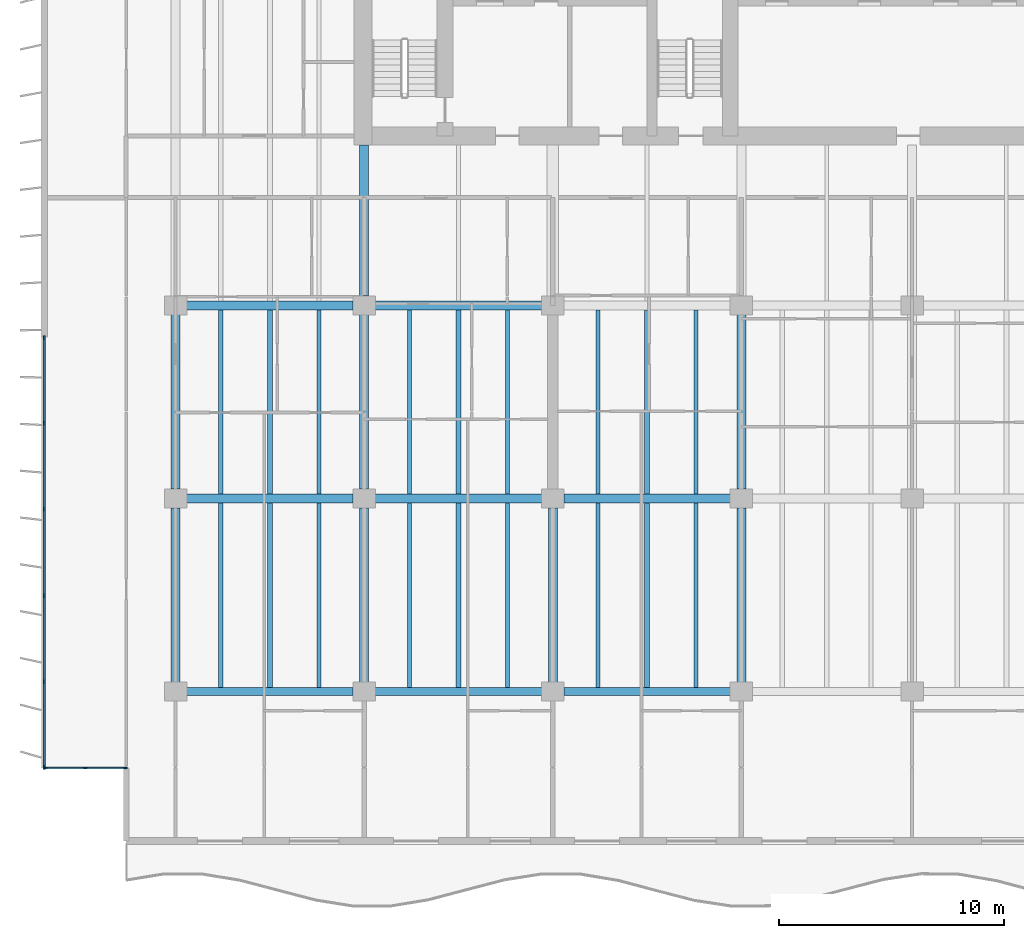
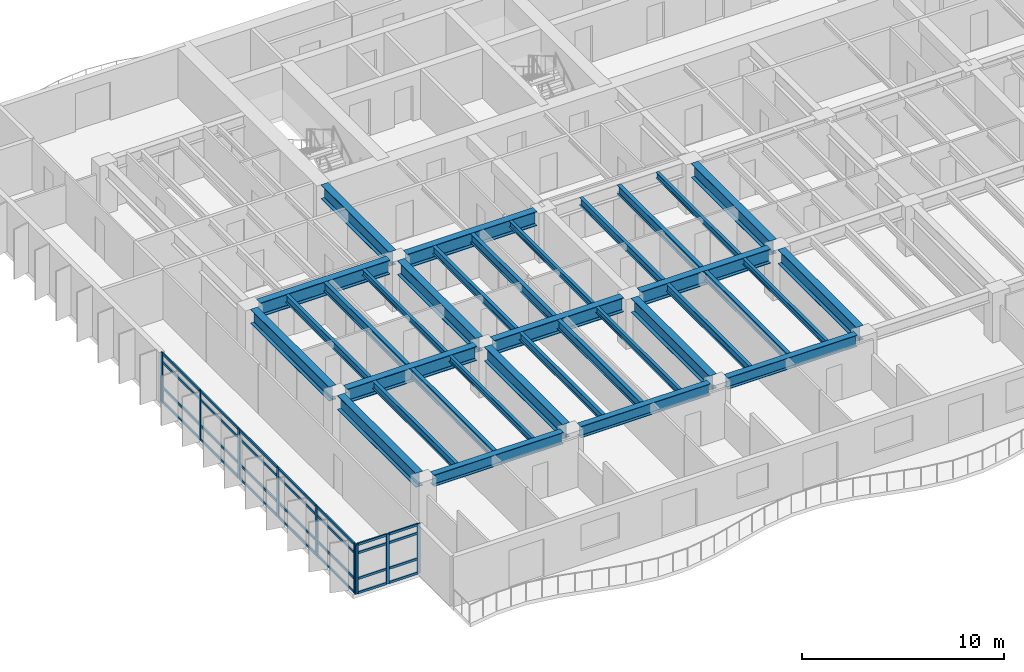
# One storey, part 2 of 16: 37 members, 34 beams, 2 elements without a shape of their own.
"""IFC4 building model written with IfcOpenShell, lengths in metres."""

from ifc_helpers import new_model, si_unit, direction, frame, origin, origin_2d, place, context, subcontext, project, spatial, rectangle, i_section, extrude, material, layer, layer_set, material_profile, profile_set, type_object, element, aggregate, save


model = new_model("IFC4")

# Units and contexts
model_context = context("Model", 3, precision=1e-05, world=origin(), true_north=direction((0.0, 1.0)))
body_context = subcontext(model_context, "Body", "Model", "MODEL_VIEW")
ifc_project = project(units=[si_unit("LENGTHUNIT", "METRE"), si_unit("AREAUNIT", "SQUARE_METRE"), si_unit("VOLUMEUNIT", "CUBIC_METRE"), si_unit("PLANEANGLEUNIT", "RADIAN"), si_unit("MASSUNIT", "GRAM", prefix="KILO")], contexts=[model_context])

# Site, building, storey
site_placement = place(None, origin())
site = spatial("IfcSite", under=ifc_project, at=site_placement, CompositionType="ELEMENT")
building_placement = place(site_placement, origin())
building = spatial("IfcBuilding", under=site, at=building_placement, Name="Caelmar Bay Residences", CompositionType="ELEMENT")
storey_placement = place(building_placement, frame((0.0, 0.0, 148.800048828125)))
storey = spatial("IfcBuildingStorey", under=building, at=storey_placement, Name="L41", CompositionType="ELEMENT", Elevation=148.800048828125)

# Beams
ifc_material_1 = material(Name="Steel ASTM A992 Grade 50", Category="steel")
ifc_material_profile_1 = material_profile(ifc_material_1, i_section(OverallWidth=0.40087890625, OverallDepth=0.861083984375, WebThickness=0.019775390625, FlangeThickness=0.032470703125, FilletRadius=0.017822265625, at=origin_2d()), Name="W33X221")
ifc_profile_set_1 = profile_set([ifc_material_profile_1], Name="Steel ASTM A992 Grade 50")
beam_type_1 = type_object("IfcBeamType", Name="BM-GRD-W33X221", PredefinedType="BEAM", material=ifc_profile_set_1)
beam_1_placement = place(storey_placement, frame((10.389892578125, 20.800048828125, 2.5693359375), z_axis=(1.0, 0.0, 0.0), x_axis=(0.0, 1.0, 0.0)))
element("IfcBeam", 1, at=beam_1_placement, inside=storey, type_object=beam_type_1, Name="L41 East-West Girder Y=20.80 (9.9-18.3)", PredefinedType="BEAM", context=body_context, shape_type="SweptSolid", body=[
    extrude(i_section(OverallWidth=0.40087890625, OverallDepth=0.861083984375, WebThickness=0.019775390625, FlangeThickness=0.032470703125, FilletRadius=0.017822265625, at=origin_2d()), origin(), (0.0, 0.0, 1.0), 7.420166015625),
])
beam_2_placement = place(storey_placement, frame((18.7900390625, 20.800048828125, 2.5693359375), z_axis=(1.0, 0.0, 0.0), x_axis=(0.0, 1.0, 0.0)))
element("IfcBeam", 2, at=beam_2_placement, inside=storey, type_object=beam_type_1, Name="L41 East-West Girder Y=20.80 (18.3-26.7)", PredefinedType="BEAM", context=body_context, shape_type="SweptSolid", body=[
    extrude(i_section(OverallWidth=0.40087890625, OverallDepth=0.861083984375, WebThickness=0.019775390625, FlangeThickness=0.032470703125, FilletRadius=0.017822265625, at=origin_2d()), origin(), (0.0, 0.0, 1.0), 7.419921875),
])
for number, where, z_axis, x_axis, name in (
    (3, (27.18994140625, 20.800048828125, 2.5693359375), (1.0, 0.0, 0.0), (0.0, 1.0, 0.0), "L41 East-West Girder Y=20.80 (26.7-35.1)"),
    (4, (10.389892578125, 29.39990234375, 2.5693359375), (1.0, 0.0, 0.0), (0.0, 1.0, 0.0), "L41 East-West Girder Y=29.40 (9.9-18.3)"),
):
    element("IfcBeam", number, at=place(storey_placement, frame(where, z_axis=z_axis, x_axis=x_axis)), inside=storey, type_object=beam_type_1, Name=name, PredefinedType="BEAM", context=body_context, shape_type="SweptSolid", body=[
        extrude(i_section(OverallWidth=0.40087890625, OverallDepth=0.861083984375, WebThickness=0.019775390625, FlangeThickness=0.032470703125, FilletRadius=0.017822265625, at=origin_2d()), origin(), (0.0, 0.0, 1.0), 7.420166015625),
    ])
beam_3_placement = place(storey_placement, frame((18.7900390625, 29.39990234375, 2.5693359375), z_axis=(1.0, 0.0, 0.0), x_axis=(0.0, 1.0, 0.0)))
element("IfcBeam", 5, at=beam_3_placement, inside=storey, type_object=beam_type_1, Name="L41 East-West Girder Y=29.40 (18.3-26.7)", PredefinedType="BEAM", context=body_context, shape_type="SweptSolid", body=[
    extrude(i_section(OverallWidth=0.40087890625, OverallDepth=0.861083984375, WebThickness=0.019775390625, FlangeThickness=0.032470703125, FilletRadius=0.017822265625, at=origin_2d()), origin(), (0.0, 0.0, 1.0), 7.419921875),
])
for number, where, z_axis, x_axis, name in (
    (6, (9.89990234375, 12.614990234375, 2.5693359375), (0.0, 1.0, 0.0), (-1.0, 0.0, 0.0), "L41 North-South Girder X=9.90 (12.2-20.8)"),
    (7, (9.89990234375, 21.215087890625, 2.5693359375), (0.0, 1.0, 0.0), (-1.0, 0.0, 0.0), "L41 North-South Girder X=9.90 (20.8-29.4)"),
):
    element("IfcBeam", number, at=place(storey_placement, frame(where, z_axis=z_axis, x_axis=x_axis)), inside=storey, type_object=beam_type_1, Name=name, PredefinedType="BEAM", context=body_context, shape_type="SweptSolid", body=[
        extrude(i_section(OverallWidth=0.40087890625, OverallDepth=0.861083984375, WebThickness=0.019775390625, FlangeThickness=0.032470703125, FilletRadius=0.017822265625, at=origin_2d()), origin(), (0.0, 0.0, 1.0), 7.77001953125),
    ])
beam_4_placement = place(storey_placement, frame((18.300048828125, 29.81494140625, 2.5693359375), z_axis=(0.0, 1.0, 0.0), x_axis=(-1.0, 0.0, 0.0)))
element("IfcBeam", 8, at=beam_4_placement, inside=storey, type_object=beam_type_1, Name="L41 Core Tie Girder X=18.30", PredefinedType="BEAM", context=body_context, shape_type="SweptSolid", body=[
    extrude(i_section(OverallWidth=0.40087890625, OverallDepth=0.861083984375, WebThickness=0.019775390625, FlangeThickness=0.032470703125, FilletRadius=0.017822265625, at=origin_2d()), origin(), (0.0, 0.0, 1.0), 6.735107421875),
])
for number, where, z_axis, x_axis, name in (
    (9, (18.300048828125, 12.614990234375, 2.5693359375), (0.0, 1.0, 0.0), (-1.0, 0.0, 0.0), "L41 North-South Girder X=18.30 (12.2-20.8)"),
    (10, (18.300048828125, 21.215087890625, 2.5693359375), (0.0, 1.0, 0.0), (-1.0, 0.0, 0.0), "L41 North-South Girder X=18.30 (20.8-29.4)"),
    (11, (26.699951171875, 12.614990234375, 2.5693359375), (0.0, 1.0, 0.0), (-1.0, 0.0, 0.0), "L41 North-South Girder X=26.70 (12.2-20.8)"),
    (12, (35.10009765625, 12.614990234375, 2.5693359375), (0.0, 1.0, 0.0), (-1.0, 0.0, 0.0), "L41 North-South Girder X=35.10 (12.2-20.8)"),
    (13, (35.10009765625, 21.215087890625, 2.5693359375), (0.0, 1.0, 0.0), (-1.0, 0.0, 0.0), "L41 North-South Girder X=35.10 (20.8-29.4)"),
):
    element("IfcBeam", number, at=place(storey_placement, frame(where, z_axis=z_axis, x_axis=x_axis)), inside=storey, type_object=beam_type_1, Name=name, PredefinedType="BEAM", context=body_context, shape_type="SweptSolid", body=[
        extrude(i_section(OverallWidth=0.40087890625, OverallDepth=0.861083984375, WebThickness=0.019775390625, FlangeThickness=0.032470703125, FilletRadius=0.017822265625, at=origin_2d()), origin(), (0.0, 0.0, 1.0), 7.77001953125),
    ])
ifc_material_profile_2 = material_profile(ifc_material_1, i_section(OverallWidth=0.1708984375, OverallDepth=0.35595703125, WebThickness=0.007080078125, FlangeThickness=0.01171875, FilletRadius=0.007568359375, at=origin_2d()), Name="W14X34")
ifc_profile_set_2 = profile_set([ifc_material_profile_2], Name="Steel ASTM A992 Grade 50")
beam_type_2 = type_object("IfcBeamType", Name="BM-JST-W14X34", PredefinedType="JOIST", material=ifc_profile_set_2)
for number, where, z_axis, x_axis, name in (
    (14, (16.283935546875, 12.3779296875, 2.822021484375), (0.0, 1.0, 0.0), (-1.0, 0.0, 0.0), "L41 Composite Floor Joist 3"),
    (15, (24.68408203125, 12.3779296875, 2.822021484375), (0.0, 1.0, 0.0), (-1.0, 0.0, 0.0), "L41 Composite Floor Joist 6"),
    (16, (33.083984375, 12.3779296875, 2.822021484375), (0.0, 1.0, 0.0), (-1.0, 0.0, 0.0), "L41 Composite Floor Joist 9"),
):
    element("IfcBeam", number, at=place(storey_placement, frame(where, z_axis=z_axis, x_axis=x_axis)), inside=storey, type_object=beam_type_2, Name=name, PredefinedType="JOIST", context=body_context, shape_type="SweptSolid", body=[
        extrude(i_section(OverallWidth=0.1708984375, OverallDepth=0.35595703125, WebThickness=0.007080078125, FlangeThickness=0.01171875, FilletRadius=0.007568359375, at=origin_2d()), origin(), (0.0, 0.0, 1.0), 8.2216796875),
    ])
for number, where, z_axis, x_axis, name in (
    (17, (16.283935546875, 21.00048828125, 2.822021484375), (0.0, 1.0, 0.0), (-1.0, 0.0, 0.0), "L41 Composite Floor Joist 24"),
    (18, (24.68408203125, 21.00048828125, 2.822021484375), (0.0, 1.0, 0.0), (-1.0, 0.0, 0.0), "L41 Composite Floor Joist 27"),
    (19, (33.083984375, 21.00048828125, 2.822021484375), (0.0, 1.0, 0.0), (-1.0, 0.0, 0.0), "L41 Composite Floor Joist 30"),
):
    element("IfcBeam", number, at=place(storey_placement, frame(where, z_axis=z_axis, x_axis=x_axis)), inside=storey, type_object=beam_type_2, Name=name, PredefinedType="JOIST", context=body_context, shape_type="SweptSolid", body=[
        extrude(i_section(OverallWidth=0.1708984375, OverallDepth=0.35595703125, WebThickness=0.007080078125, FlangeThickness=0.01171875, FilletRadius=0.007568359375, at=origin_2d()), origin(), (0.0, 0.0, 1.0), 8.198974609375),
    ])
ifc_material_profile_3 = material_profile(ifc_material_1, i_section(OverallWidth=0.19091796875, OverallDepth=0.45703125, WebThickness=0.009033203125, FlangeThickness=0.014404296875, FilletRadius=0.01025390625, at=origin_2d()), Name="W18X50")
ifc_profile_set_3 = profile_set([ifc_material_profile_3], Name="Steel ASTM A992 Grade 50")
beam_type_3 = type_object("IfcBeamType", Name="BM-JST-W18X50", PredefinedType="JOIST", material=ifc_profile_set_3)
for number, where, z_axis, x_axis, name in (
    (20, (11.916015625, 12.3779296875, 2.771484375), (0.0, 1.0, 0.0), (-1.0, 0.0, 0.0), "L41 Composite Floor Joist 1"),
    (21, (20.31591796875, 12.3779296875, 2.771484375), (0.0, 1.0, 0.0), (-1.0, 0.0, 0.0), "L41 Composite Floor Joist 4"),
    (22, (28.716064453125, 12.3779296875, 2.771484375), (0.0, 1.0, 0.0), (-1.0, 0.0, 0.0), "L41 Composite Floor Joist 7"),
):
    element("IfcBeam", number, at=place(storey_placement, frame(where, z_axis=z_axis, x_axis=x_axis)), inside=storey, type_object=beam_type_3, Name=name, PredefinedType="JOIST", context=body_context, shape_type="SweptSolid", body=[
        extrude(i_section(OverallWidth=0.19091796875, OverallDepth=0.45703125, WebThickness=0.009033203125, FlangeThickness=0.014404296875, FilletRadius=0.01025390625, at=origin_2d()), origin(), (0.0, 0.0, 1.0), 8.2216796875),
    ])
for number, where, z_axis, x_axis, name in (
    (23, (11.916015625, 21.00048828125, 2.771484375), (0.0, 1.0, 0.0), (-1.0, 0.0, 0.0), "L41 Composite Floor Joist 22"),
    (24, (20.31591796875, 21.00048828125, 2.771484375), (0.0, 1.0, 0.0), (-1.0, 0.0, 0.0), "L41 Composite Floor Joist 25"),
    (25, (28.716064453125, 21.00048828125, 2.771484375), (0.0, 1.0, 0.0), (-1.0, 0.0, 0.0), "L41 Composite Floor Joist 28"),
):
    element("IfcBeam", number, at=place(storey_placement, frame(where, z_axis=z_axis, x_axis=x_axis)), inside=storey, type_object=beam_type_3, Name=name, PredefinedType="JOIST", context=body_context, shape_type="SweptSolid", body=[
        extrude(i_section(OverallWidth=0.19091796875, OverallDepth=0.45703125, WebThickness=0.009033203125, FlangeThickness=0.014404296875, FilletRadius=0.01025390625, at=origin_2d()), origin(), (0.0, 0.0, 1.0), 8.198974609375),
    ])
ifc_material_profile_4 = material_profile(ifc_material_1, i_section(OverallWidth=0.214111328125, OverallDepth=0.549072265625, WebThickness=0.0146484375, FlangeThickness=0.023681640625, FilletRadius=0.0126953125, at=origin_2d()), Name="W21X93")
ifc_profile_set_4 = profile_set([ifc_material_profile_4], Name="Steel ASTM A992 Grade 50")
beam_type_4 = type_object("IfcBeamType", Name="BM-JST-W21X93", PredefinedType="JOIST", material=ifc_profile_set_4)
for number, where, z_axis, x_axis, name in (
    (26, (14.10009765625, 12.3779296875, 2.725341796875), (0.0, 1.0, 0.0), (-1.0, 0.0, 0.0), "L41 Composite Floor Joist 2"),
    (27, (22.5, 12.3779296875, 2.725341796875), (0.0, 1.0, 0.0), (-1.0, 0.0, 0.0), "L41 Composite Floor Joist 5"),
    (28, (30.89990234375, 12.3779296875, 2.725341796875), (0.0, 1.0, 0.0), (-1.0, 0.0, 0.0), "L41 Composite Floor Joist 8"),
):
    element("IfcBeam", number, at=place(storey_placement, frame(where, z_axis=z_axis, x_axis=x_axis)), inside=storey, type_object=beam_type_4, Name=name, PredefinedType="JOIST", context=body_context, shape_type="SweptSolid", body=[
        extrude(i_section(OverallWidth=0.214111328125, OverallDepth=0.549072265625, WebThickness=0.0146484375, FlangeThickness=0.023681640625, FilletRadius=0.0126953125, at=origin_2d()), origin(), (0.0, 0.0, 1.0), 8.2216796875),
    ])
for number, where, z_axis, x_axis, name in (
    (29, (14.10009765625, 21.00048828125, 2.725341796875), (0.0, 1.0, 0.0), (-1.0, 0.0, 0.0), "L41 Composite Floor Joist 23"),
    (30, (22.5, 21.00048828125, 2.725341796875), (0.0, 1.0, 0.0), (-1.0, 0.0, 0.0), "L41 Composite Floor Joist 26"),
    (31, (30.89990234375, 21.00048828125, 2.725341796875), (0.0, 1.0, 0.0), (-1.0, 0.0, 0.0), "L41 Composite Floor Joist 29"),
):
    element("IfcBeam", number, at=place(storey_placement, frame(where, z_axis=z_axis, x_axis=x_axis)), inside=storey, type_object=beam_type_4, Name=name, PredefinedType="JOIST", context=body_context, shape_type="SweptSolid", body=[
        extrude(i_section(OverallWidth=0.214111328125, OverallDepth=0.549072265625, WebThickness=0.0146484375, FlangeThickness=0.023681640625, FilletRadius=0.0126953125, at=origin_2d()), origin(), (0.0, 0.0, 1.0), 8.198974609375),
    ])
ifc_material_profile_5 = material_profile(ifc_material_1, i_section(OverallWidth=0.35595703125, OverallDepth=0.696044921875, WebThickness=0.015380859375, FlangeThickness=0.02490234375, FilletRadius=0.01513671875, at=origin_2d()), Name="W27X146")
ifc_profile_set_5 = profile_set([ifc_material_profile_5], Name="Steel ASTM A992 Grade 50")
beam_type_5 = type_object("IfcBeamType", Name="BM-SPN-W27X146", PredefinedType="SPANDREL", material=ifc_profile_set_5)
beam_5_placement = place(storey_placement, frame((10.389892578125, 12.199951171875, 2.65185546875), z_axis=(1.0, 0.0, 0.0), x_axis=(0.0, 1.0, 0.0)))
element("IfcBeam", 32, at=beam_5_placement, inside=storey, type_object=beam_type_5, Name="L41 East-West Girder Y=12.20 (9.9-18.3)", PredefinedType="SPANDREL", context=body_context, shape_type="SweptSolid", body=[
    extrude(i_section(OverallWidth=0.35595703125, OverallDepth=0.696044921875, WebThickness=0.015380859375, FlangeThickness=0.02490234375, FilletRadius=0.01513671875, at=origin_2d()), origin(), (0.0, 0.0, 1.0), 7.420166015625),
])
beam_6_placement = place(storey_placement, frame((18.7900390625, 12.199951171875, 2.65185546875), z_axis=(1.0, 0.0, 0.0), x_axis=(0.0, 1.0, 0.0)))
element("IfcBeam", 33, at=beam_6_placement, inside=storey, type_object=beam_type_5, Name="L41 East-West Girder Y=12.20 (18.3-26.7)", PredefinedType="SPANDREL", context=body_context, shape_type="SweptSolid", body=[
    extrude(i_section(OverallWidth=0.35595703125, OverallDepth=0.696044921875, WebThickness=0.015380859375, FlangeThickness=0.02490234375, FilletRadius=0.01513671875, at=origin_2d()), origin(), (0.0, 0.0, 1.0), 7.419921875),
])
beam_7_placement = place(storey_placement, frame((27.18994140625, 12.199951171875, 2.65185546875), z_axis=(1.0, 0.0, 0.0), x_axis=(0.0, 1.0, 0.0)))
element("IfcBeam", 34, at=beam_7_placement, inside=storey, type_object=beam_type_5, Name="L41 East-West Girder Y=12.20 (26.7-35.1)", PredefinedType="SPANDREL", context=body_context, shape_type="SweptSolid", body=[
    extrude(i_section(OverallWidth=0.35595703125, OverallDepth=0.696044921875, WebThickness=0.015380859375, FlangeThickness=0.02490234375, FilletRadius=0.01513671875, at=origin_2d()), origin(), (0.0, 0.0, 1.0), 7.420166015625),
])

# Curtain wall, members
ifc_material_2 = material(Name="Anodised bronze aluminium 6063-T6 and laminated glass", Category="aluminium")
ifc_layer_1 = layer(ifc_material_2, 0.179931640625)
ifc_layer_set_1 = layer_set([ifc_layer_1], Name="Anodised bronze aluminium 6063-T6 and laminated glass")
curtain_wall_type_1 = type_object("IfcCurtainWallType", Name="CW6-NTC", PredefinedType="NOTDEFINED", material=ifc_layer_set_1)
curtain_wall_1_placement = place(storey_placement, origin())
curtain_wall_1 = element("IfcCurtainWall", 35, at=curtain_wall_1_placement, inside=storey, type_object=curtain_wall_type_1, Name="CW6 curtain wall L41", PredefinedType="NOTDEFINED")
ifc_material_3 = material(Name="Anodised bronze aluminium 6063-T6", Category="aluminium")
ifc_material_profile_6 = material_profile(ifc_material_3, rectangle(XDim=0.080078125, YDim=0.179931640625, at=origin_2d()), Name="CWM-80X180")
ifc_profile_set_6 = profile_set([ifc_material_profile_6], Name="Anodised bronze aluminium 6063-T6")
member_type_1 = type_object("IfcMemberType", Name="CWM-180", PredefinedType="MULLION", material=ifc_profile_set_6)
member_1_placement = place(storey_placement, frame((4.090087890625, 8.800048828125, 0.0), z_axis=(0.0, 0.0, 1.0), x_axis=(0.0, 1.0, 0.0)))
member_1 = element("IfcMember", 36, at=member_1_placement, type_object=member_type_1, Name="CW6 mullion 1", PredefinedType="MULLION", context=body_context, shape_type="SweptSolid", body=[
    extrude(rectangle(XDim=0.080078125, YDim=0.179931640625, at=origin_2d()), origin(), (0.0, 0.0, 1.0), 3.0),
])
member_2_placement = place(storey_placement, frame((5.875, 8.800048828125, 0.0), z_axis=(0.0, 0.0, 1.0), x_axis=(0.0, 1.0, 0.0)))
member_2 = element("IfcMember", 37, at=member_2_placement, type_object=member_type_1, Name="CW6 mullion 2", PredefinedType="MULLION", context=body_context, shape_type="SweptSolid", body=[
    extrude(rectangle(XDim=0.080078125, YDim=0.179931640625, at=origin_2d()), origin(), (0.0, 0.0, 1.0), 3.0),
])
member_3_placement = place(storey_placement, frame((7.659912109375, 8.800048828125, 0.0), z_axis=(0.0, 0.0, 1.0), x_axis=(0.0, 1.0, 0.0)))
member_3 = element("IfcMember", 38, at=member_3_placement, type_object=member_type_1, Name="CW6 mullion 3", PredefinedType="MULLION", context=body_context, shape_type="SweptSolid", body=[
    extrude(rectangle(XDim=0.080078125, YDim=0.179931640625, at=origin_2d()), origin(), (0.0, 0.0, 1.0), 3.0),
])

ifc_layer_2 = layer(ifc_material_2, 0.179931640625)
ifc_layer_set_2 = layer_set([ifc_layer_2], Name="Anodised bronze aluminium 6063-T6 and laminated glass")
curtain_wall_type_2 = type_object("IfcCurtainWallType", Name="CW3-Z2", PredefinedType="NOTDEFINED", material=ifc_layer_set_2)
curtain_wall_2_placement = place(storey_placement, origin())
curtain_wall_2 = element("IfcCurtainWall", 39, at=curtain_wall_2_placement, inside=storey, type_object=curtain_wall_type_2, Name="CW3 curtain wall L41", PredefinedType="NOTDEFINED")
member_4_placement = place(storey_placement, frame((4.050048828125, 8.840087890625, 0.0), z_axis=(0.0, 0.0, 1.0), x_axis=(-1.0, 0.0, 0.0)))
member_4 = element("IfcMember", 40, at=member_4_placement, type_object=member_type_1, Name="CW3 mullion 1", PredefinedType="MULLION", context=body_context, shape_type="SweptSolid", body=[
    extrude(rectangle(XDim=0.080078125, YDim=0.179931640625, at=origin_2d()), origin(), (0.0, 0.0, 1.0), 3.0),
])
member_5_placement = place(storey_placement, frame((4.050048828125, 12.639892578125, 0.0), z_axis=(0.0, 0.0, 1.0), x_axis=(-1.0, 0.0, 0.0)))
member_5 = element("IfcMember", 41, at=member_5_placement, type_object=member_type_1, Name="CW3 mullion 2", PredefinedType="MULLION", context=body_context, shape_type="SweptSolid", body=[
    extrude(rectangle(XDim=0.080078125, YDim=0.179931640625, at=origin_2d()), origin(), (0.0, 0.0, 1.0), 3.0),
])
member_6_placement = place(storey_placement, frame((4.050048828125, 16.47998046875, 0.0), z_axis=(0.0, 0.0, 1.0), x_axis=(-1.0, 0.0, 0.0)))
member_6 = element("IfcMember", 42, at=member_6_placement, type_object=member_type_1, Name="CW3 mullion 3", PredefinedType="MULLION", context=body_context, shape_type="SweptSolid", body=[
    extrude(rectangle(XDim=0.080078125, YDim=0.179931640625, at=origin_2d()), origin(), (0.0, 0.0, 1.0), 3.0),
])
member_7_placement = place(storey_placement, frame((4.050048828125, 20.320068359375, 0.0), z_axis=(0.0, 0.0, 1.0), x_axis=(-1.0, 0.0, 0.0)))
member_7 = element("IfcMember", 43, at=member_7_placement, type_object=member_type_1, Name="CW3 mullion 4", PredefinedType="MULLION", context=body_context, shape_type="SweptSolid", body=[
    extrude(rectangle(XDim=0.080078125, YDim=0.179931640625, at=origin_2d()), origin(), (0.0, 0.0, 1.0), 3.0),
])
member_8_placement = place(storey_placement, frame((4.050048828125, 24.159912109375, 0.0), z_axis=(0.0, 0.0, 1.0), x_axis=(-1.0, 0.0, 0.0)))
member_8 = element("IfcMember", 44, at=member_8_placement, type_object=member_type_1, Name="CW3 mullion 5", PredefinedType="MULLION", context=body_context, shape_type="SweptSolid", body=[
    extrude(rectangle(XDim=0.080078125, YDim=0.179931640625, at=origin_2d()), origin(), (0.0, 0.0, 1.0), 3.0),
])
member_9_placement = place(storey_placement, frame((4.050048828125, 27.9599609375, 0.0), z_axis=(0.0, 0.0, 1.0), x_axis=(-1.0, 0.0, 0.0)))
member_9 = element("IfcMember", 45, at=member_9_placement, type_object=member_type_1, Name="CW3 mullion 6", PredefinedType="MULLION", context=body_context, shape_type="SweptSolid", body=[
    extrude(rectangle(XDim=0.080078125, YDim=0.179931640625, at=origin_2d()), origin(), (0.0, 0.0, 1.0), 3.0),
])

# Member
ifc_material_profile_7 = material_profile(ifc_material_3, rectangle(XDim=0.080078125, YDim=0.139892578125, at=origin_2d()), Name="CWT-80X140")
ifc_profile_set_7 = profile_set([ifc_material_profile_7], Name="Anodised bronze aluminium 6063-T6")
member_type_2 = type_object("IfcMemberType", Name="CWT-140", PredefinedType="NOTDEFINED", material=ifc_profile_set_7)
member_10_placement = place(storey_placement, frame((4.1298828125, 8.800048828125, 0.0400390625), z_axis=(1.0, 0.0, 0.0), x_axis=(0.0, 1.0, 0.0)))
member_10 = element("IfcMember", 46, at=member_10_placement, type_object=member_type_2, Name="CW6 transom 1.1", ObjectType="TRANSOM", PredefinedType="USERDEFINED", context=body_context, shape_type="SweptSolid", body=[
    extrude(rectangle(XDim=0.080078125, YDim=0.139892578125, at=origin_2d()), origin(), (0.0, 0.0, 1.0), 1.705078125),
])

member_11_placement = place(storey_placement, frame((4.1298828125, 8.800048828125, 0.89990234375), z_axis=(1.0, 0.0, 0.0), x_axis=(0.0, 1.0, 0.0)))
member_11 = element("IfcMember", 47, at=member_11_placement, type_object=member_type_2, Name="CW6 transom 1.2", ObjectType="TRANSOM", PredefinedType="USERDEFINED", context=body_context, shape_type="SweptSolid", body=[
    extrude(rectangle(XDim=0.080078125, YDim=0.139892578125, at=origin_2d()), origin(), (0.0, 0.0, 1.0), 1.705078125),
])

member_12_placement = place(storey_placement, frame((4.1298828125, 8.800048828125, 2.449951171875), z_axis=(1.0, 0.0, 0.0), x_axis=(0.0, 1.0, 0.0)))
member_12 = element("IfcMember", 48, at=member_12_placement, type_object=member_type_2, Name="CW6 transom 1.3", ObjectType="TRANSOM", PredefinedType="USERDEFINED", context=body_context, shape_type="SweptSolid", body=[
    extrude(rectangle(XDim=0.080078125, YDim=0.139892578125, at=origin_2d()), origin(), (0.0, 0.0, 1.0), 1.705078125),
])

member_13_placement = place(storey_placement, frame((4.1298828125, 8.800048828125, 2.9599609375), z_axis=(1.0, 0.0, 0.0), x_axis=(0.0, 1.0, 0.0)))
member_13 = element("IfcMember", 49, at=member_13_placement, type_object=member_type_2, Name="CW6 transom 1.4", ObjectType="TRANSOM", PredefinedType="USERDEFINED", context=body_context, shape_type="SweptSolid", body=[
    extrude(rectangle(XDim=0.080078125, YDim=0.139892578125, at=origin_2d()), origin(), (0.0, 0.0, 1.0), 1.705078125),
])

member_14_placement = place(storey_placement, frame((5.9150390625, 8.800048828125, 0.0400390625), z_axis=(1.0, 0.0, 0.0), x_axis=(0.0, 1.0, 0.0)))
member_14 = element("IfcMember", 50, at=member_14_placement, type_object=member_type_2, Name="CW6 transom 2.1", ObjectType="TRANSOM", PredefinedType="USERDEFINED", context=body_context, shape_type="SweptSolid", body=[
    extrude(rectangle(XDim=0.080078125, YDim=0.139892578125, at=origin_2d()), origin(), (0.0, 0.0, 1.0), 1.705078125),
])

member_15_placement = place(storey_placement, frame((5.9150390625, 8.800048828125, 0.89990234375), z_axis=(1.0, 0.0, 0.0), x_axis=(0.0, 1.0, 0.0)))
member_15 = element("IfcMember", 51, at=member_15_placement, type_object=member_type_2, Name="CW6 transom 2.2", ObjectType="TRANSOM", PredefinedType="USERDEFINED", context=body_context, shape_type="SweptSolid", body=[
    extrude(rectangle(XDim=0.080078125, YDim=0.139892578125, at=origin_2d()), origin(), (0.0, 0.0, 1.0), 1.705078125),
])

member_16_placement = place(storey_placement, frame((5.9150390625, 8.800048828125, 2.449951171875), z_axis=(1.0, 0.0, 0.0), x_axis=(0.0, 1.0, 0.0)))
member_16 = element("IfcMember", 52, at=member_16_placement, type_object=member_type_2, Name="CW6 transom 2.3", ObjectType="TRANSOM", PredefinedType="USERDEFINED", context=body_context, shape_type="SweptSolid", body=[
    extrude(rectangle(XDim=0.080078125, YDim=0.139892578125, at=origin_2d()), origin(), (0.0, 0.0, 1.0), 1.705078125),
])

member_17_placement = place(storey_placement, frame((5.9150390625, 8.800048828125, 2.9599609375), z_axis=(1.0, 0.0, 0.0), x_axis=(0.0, 1.0, 0.0)))
member_17 = element("IfcMember", 53, at=member_17_placement, type_object=member_type_2, Name="CW6 transom 2.4", ObjectType="TRANSOM", PredefinedType="USERDEFINED", context=body_context, shape_type="SweptSolid", body=[
    extrude(rectangle(XDim=0.080078125, YDim=0.139892578125, at=origin_2d()), origin(), (0.0, 0.0, 1.0), 1.705078125),
])

aggregate(curtain_wall_1, [member_1, member_2, member_3, member_10, member_11, member_12, member_13, member_14, member_15, member_16, member_17])

member_18_placement = place(storey_placement, frame((4.050048828125, 8.8798828125, 0.0400390625), z_axis=(0.0, 1.0, 0.0), x_axis=(-1.0, 0.0, 0.0)))
member_18 = element("IfcMember", 54, at=member_18_placement, type_object=member_type_2, Name="CW3 transom 1.1", ObjectType="TRANSOM", PredefinedType="USERDEFINED", context=body_context, shape_type="SweptSolid", body=[
    extrude(rectangle(XDim=0.080078125, YDim=0.139892578125, at=origin_2d()), origin(), (0.0, 0.0, 1.0), 3.72021484375),
])

member_19_placement = place(storey_placement, frame((4.050048828125, 8.8798828125, 0.89990234375), z_axis=(0.0, 1.0, 0.0), x_axis=(-1.0, 0.0, 0.0)))
member_19 = element("IfcMember", 55, at=member_19_placement, type_object=member_type_2, Name="CW3 transom 1.2", ObjectType="TRANSOM", PredefinedType="USERDEFINED", context=body_context, shape_type="SweptSolid", body=[
    extrude(rectangle(XDim=0.080078125, YDim=0.139892578125, at=origin_2d()), origin(), (0.0, 0.0, 1.0), 3.72021484375),
])

member_20_placement = place(storey_placement, frame((4.050048828125, 8.8798828125, 2.449951171875), z_axis=(0.0, 1.0, 0.0), x_axis=(-1.0, 0.0, 0.0)))
member_20 = element("IfcMember", 56, at=member_20_placement, type_object=member_type_2, Name="CW3 transom 1.3", ObjectType="TRANSOM", PredefinedType="USERDEFINED", context=body_context, shape_type="SweptSolid", body=[
    extrude(rectangle(XDim=0.080078125, YDim=0.139892578125, at=origin_2d()), origin(), (0.0, 0.0, 1.0), 3.72021484375),
])

member_21_placement = place(storey_placement, frame((4.050048828125, 8.8798828125, 2.9599609375), z_axis=(0.0, 1.0, 0.0), x_axis=(-1.0, 0.0, 0.0)))
member_21 = element("IfcMember", 57, at=member_21_placement, type_object=member_type_2, Name="CW3 transom 1.4", ObjectType="TRANSOM", PredefinedType="USERDEFINED", context=body_context, shape_type="SweptSolid", body=[
    extrude(rectangle(XDim=0.080078125, YDim=0.139892578125, at=origin_2d()), origin(), (0.0, 0.0, 1.0), 3.72021484375),
])

member_22_placement = place(storey_placement, frame((4.050048828125, 12.679931640625, 0.0400390625), z_axis=(0.0, 1.0, 0.0), x_axis=(-1.0, 0.0, 0.0)))
member_22 = element("IfcMember", 58, at=member_22_placement, type_object=member_type_2, Name="CW3 transom 2.1", ObjectType="TRANSOM", PredefinedType="USERDEFINED", context=body_context, shape_type="SweptSolid", body=[
    extrude(rectangle(XDim=0.080078125, YDim=0.139892578125, at=origin_2d()), origin(), (0.0, 0.0, 1.0), 3.760009765625),
])

member_23_placement = place(storey_placement, frame((4.050048828125, 12.679931640625, 0.89990234375), z_axis=(0.0, 1.0, 0.0), x_axis=(-1.0, 0.0, 0.0)))
member_23 = element("IfcMember", 59, at=member_23_placement, type_object=member_type_2, Name="CW3 transom 2.2", ObjectType="TRANSOM", PredefinedType="USERDEFINED", context=body_context, shape_type="SweptSolid", body=[
    extrude(rectangle(XDim=0.080078125, YDim=0.139892578125, at=origin_2d()), origin(), (0.0, 0.0, 1.0), 3.760009765625),
])

member_24_placement = place(storey_placement, frame((4.050048828125, 12.679931640625, 2.449951171875), z_axis=(0.0, 1.0, 0.0), x_axis=(-1.0, 0.0, 0.0)))
member_24 = element("IfcMember", 60, at=member_24_placement, type_object=member_type_2, Name="CW3 transom 2.3", ObjectType="TRANSOM", PredefinedType="USERDEFINED", context=body_context, shape_type="SweptSolid", body=[
    extrude(rectangle(XDim=0.080078125, YDim=0.139892578125, at=origin_2d()), origin(), (0.0, 0.0, 1.0), 3.760009765625),
])

member_25_placement = place(storey_placement, frame((4.050048828125, 12.679931640625, 2.9599609375), z_axis=(0.0, 1.0, 0.0), x_axis=(-1.0, 0.0, 0.0)))
member_25 = element("IfcMember", 61, at=member_25_placement, type_object=member_type_2, Name="CW3 transom 2.4", ObjectType="TRANSOM", PredefinedType="USERDEFINED", context=body_context, shape_type="SweptSolid", body=[
    extrude(rectangle(XDim=0.080078125, YDim=0.139892578125, at=origin_2d()), origin(), (0.0, 0.0, 1.0), 3.760009765625),
])

member_26_placement = place(storey_placement, frame((4.050048828125, 16.52001953125, 0.0400390625), z_axis=(0.0, 1.0, 0.0), x_axis=(-1.0, 0.0, 0.0)))
member_26 = element("IfcMember", 62, at=member_26_placement, type_object=member_type_2, Name="CW3 transom 3.1", ObjectType="TRANSOM", PredefinedType="USERDEFINED", context=body_context, shape_type="SweptSolid", body=[
    extrude(rectangle(XDim=0.080078125, YDim=0.139892578125, at=origin_2d()), origin(), (0.0, 0.0, 1.0), 3.760009765625),
])

member_27_placement = place(storey_placement, frame((4.050048828125, 16.52001953125, 0.89990234375), z_axis=(0.0, 1.0, 0.0), x_axis=(-1.0, 0.0, 0.0)))
member_27 = element("IfcMember", 63, at=member_27_placement, type_object=member_type_2, Name="CW3 transom 3.2", ObjectType="TRANSOM", PredefinedType="USERDEFINED", context=body_context, shape_type="SweptSolid", body=[
    extrude(rectangle(XDim=0.080078125, YDim=0.139892578125, at=origin_2d()), origin(), (0.0, 0.0, 1.0), 3.760009765625),
])

member_28_placement = place(storey_placement, frame((4.050048828125, 16.52001953125, 2.449951171875), z_axis=(0.0, 1.0, 0.0), x_axis=(-1.0, 0.0, 0.0)))
member_28 = element("IfcMember", 64, at=member_28_placement, type_object=member_type_2, Name="CW3 transom 3.3", ObjectType="TRANSOM", PredefinedType="USERDEFINED", context=body_context, shape_type="SweptSolid", body=[
    extrude(rectangle(XDim=0.080078125, YDim=0.139892578125, at=origin_2d()), origin(), (0.0, 0.0, 1.0), 3.760009765625),
])

member_29_placement = place(storey_placement, frame((4.050048828125, 16.52001953125, 2.9599609375), z_axis=(0.0, 1.0, 0.0), x_axis=(-1.0, 0.0, 0.0)))
member_29 = element("IfcMember", 65, at=member_29_placement, type_object=member_type_2, Name="CW3 transom 3.4", ObjectType="TRANSOM", PredefinedType="USERDEFINED", context=body_context, shape_type="SweptSolid", body=[
    extrude(rectangle(XDim=0.080078125, YDim=0.139892578125, at=origin_2d()), origin(), (0.0, 0.0, 1.0), 3.760009765625),
])

member_30_placement = place(storey_placement, frame((4.050048828125, 20.360107421875, 0.0400390625), z_axis=(0.0, 1.0, 0.0), x_axis=(-1.0, 0.0, 0.0)))
member_30 = element("IfcMember", 66, at=member_30_placement, type_object=member_type_2, Name="CW3 transom 4.1", ObjectType="TRANSOM", PredefinedType="USERDEFINED", context=body_context, shape_type="SweptSolid", body=[
    extrude(rectangle(XDim=0.080078125, YDim=0.139892578125, at=origin_2d()), origin(), (0.0, 0.0, 1.0), 3.760009765625),
])

member_31_placement = place(storey_placement, frame((4.050048828125, 20.360107421875, 0.89990234375), z_axis=(0.0, 1.0, 0.0), x_axis=(-1.0, 0.0, 0.0)))
member_31 = element("IfcMember", 67, at=member_31_placement, type_object=member_type_2, Name="CW3 transom 4.2", ObjectType="TRANSOM", PredefinedType="USERDEFINED", context=body_context, shape_type="SweptSolid", body=[
    extrude(rectangle(XDim=0.080078125, YDim=0.139892578125, at=origin_2d()), origin(), (0.0, 0.0, 1.0), 3.760009765625),
])

member_32_placement = place(storey_placement, frame((4.050048828125, 20.360107421875, 2.449951171875), z_axis=(0.0, 1.0, 0.0), x_axis=(-1.0, 0.0, 0.0)))
member_32 = element("IfcMember", 68, at=member_32_placement, type_object=member_type_2, Name="CW3 transom 4.3", ObjectType="TRANSOM", PredefinedType="USERDEFINED", context=body_context, shape_type="SweptSolid", body=[
    extrude(rectangle(XDim=0.080078125, YDim=0.139892578125, at=origin_2d()), origin(), (0.0, 0.0, 1.0), 3.760009765625),
])

member_33_placement = place(storey_placement, frame((4.050048828125, 20.360107421875, 2.9599609375), z_axis=(0.0, 1.0, 0.0), x_axis=(-1.0, 0.0, 0.0)))
member_33 = element("IfcMember", 69, at=member_33_placement, type_object=member_type_2, Name="CW3 transom 4.4", ObjectType="TRANSOM", PredefinedType="USERDEFINED", context=body_context, shape_type="SweptSolid", body=[
    extrude(rectangle(XDim=0.080078125, YDim=0.139892578125, at=origin_2d()), origin(), (0.0, 0.0, 1.0), 3.760009765625),
])

member_34_placement = place(storey_placement, frame((4.050048828125, 24.199951171875, 0.0400390625), z_axis=(0.0, 1.0, 0.0), x_axis=(-1.0, 0.0, 0.0)))
member_34 = element("IfcMember", 70, at=member_34_placement, type_object=member_type_2, Name="CW3 transom 5.1", ObjectType="TRANSOM", PredefinedType="USERDEFINED", context=body_context, shape_type="SweptSolid", body=[
    extrude(rectangle(XDim=0.080078125, YDim=0.139892578125, at=origin_2d()), origin(), (0.0, 0.0, 1.0), 3.719970703125),
])

member_35_placement = place(storey_placement, frame((4.050048828125, 24.199951171875, 0.89990234375), z_axis=(0.0, 1.0, 0.0), x_axis=(-1.0, 0.0, 0.0)))
member_35 = element("IfcMember", 71, at=member_35_placement, type_object=member_type_2, Name="CW3 transom 5.2", ObjectType="TRANSOM", PredefinedType="USERDEFINED", context=body_context, shape_type="SweptSolid", body=[
    extrude(rectangle(XDim=0.080078125, YDim=0.139892578125, at=origin_2d()), origin(), (0.0, 0.0, 1.0), 3.719970703125),
])

member_36_placement = place(storey_placement, frame((4.050048828125, 24.199951171875, 2.449951171875), z_axis=(0.0, 1.0, 0.0), x_axis=(-1.0, 0.0, 0.0)))
member_36 = element("IfcMember", 72, at=member_36_placement, type_object=member_type_2, Name="CW3 transom 5.3", ObjectType="TRANSOM", PredefinedType="USERDEFINED", context=body_context, shape_type="SweptSolid", body=[
    extrude(rectangle(XDim=0.080078125, YDim=0.139892578125, at=origin_2d()), origin(), (0.0, 0.0, 1.0), 3.719970703125),
])

member_37_placement = place(storey_placement, frame((4.050048828125, 24.199951171875, 2.9599609375), z_axis=(0.0, 1.0, 0.0), x_axis=(-1.0, 0.0, 0.0)))
member_37 = element("IfcMember", 73, at=member_37_placement, type_object=member_type_2, Name="CW3 transom 5.4", ObjectType="TRANSOM", PredefinedType="USERDEFINED", context=body_context, shape_type="SweptSolid", body=[
    extrude(rectangle(XDim=0.080078125, YDim=0.139892578125, at=origin_2d()), origin(), (0.0, 0.0, 1.0), 3.719970703125),
])

aggregate(curtain_wall_2, [member_4, member_5, member_6, member_7, member_8, member_9, member_18, member_19, member_20, member_21, member_22, member_23, member_24, member_25, member_26, member_27, member_28, member_29, member_30, member_31, member_32, member_33, member_34, member_35, member_36, member_37])

save(model, "model.ifc")
